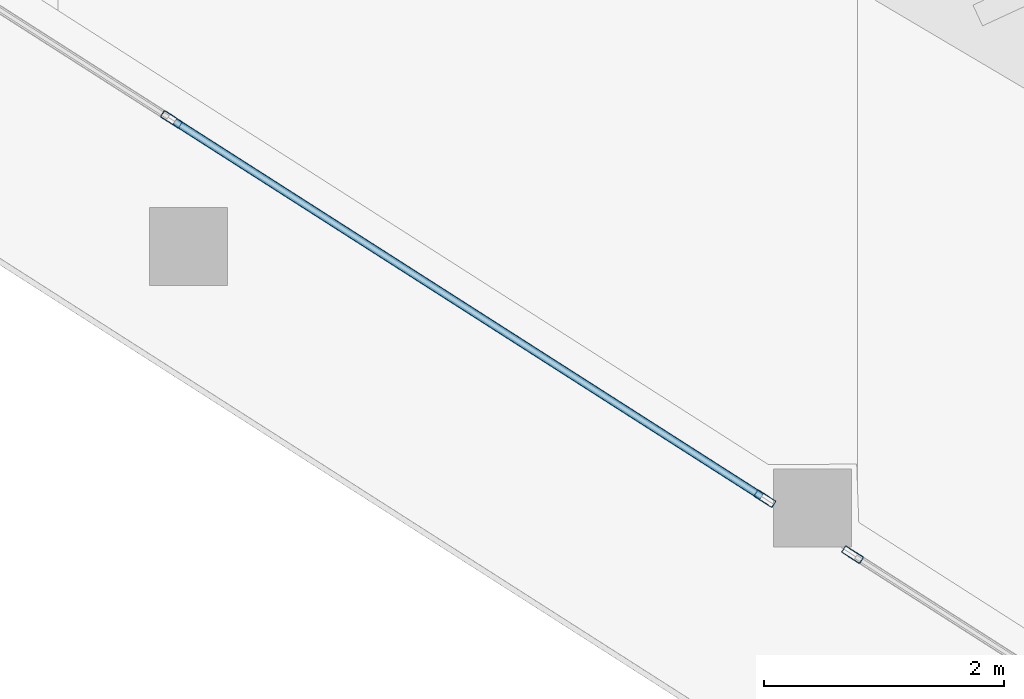
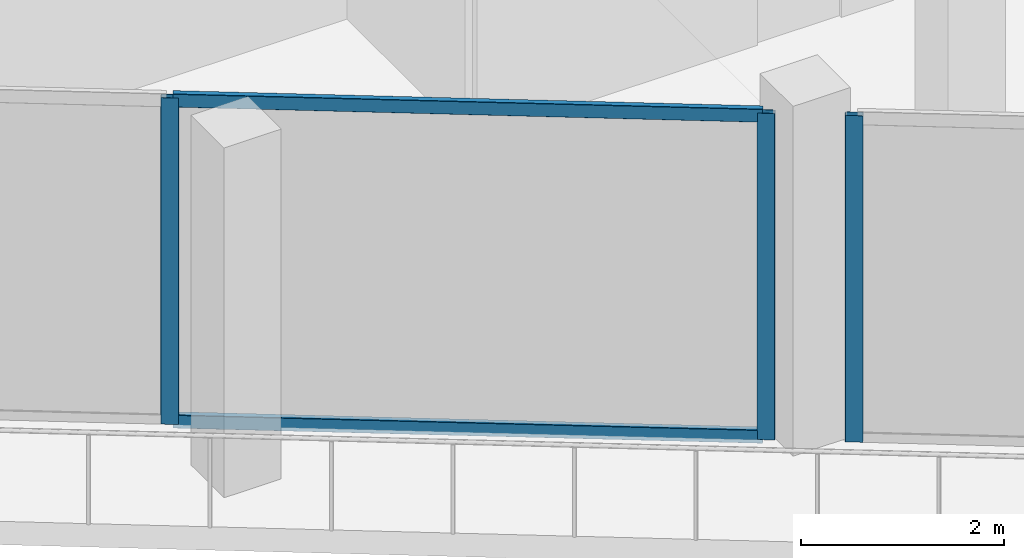
# One storey, part 5 of 44: 5 members, 2 elements without a shape of their own.
"""IFC4 building model written with IfcOpenShell, lengths in metres."""

from ifc_helpers import new_model, si_unit, direction, frame, origin, origin_2d, place, context, subcontext, project, spatial, hollow_rectangle, extrude, material, layer, layer_set, material_profile, profile_set, type_object, element, aggregate, save


model = new_model("IFC4")

# Units and contexts
model_context = context("Model", 3, precision=1e-05, world=origin(), true_north=direction((0.0, 1.0)))
body_context = subcontext(model_context, "Body", "Model", "MODEL_VIEW")
ifc_project = project(units=[si_unit("LENGTHUNIT", "METRE"), si_unit("AREAUNIT", "SQUARE_METRE"), si_unit("VOLUMEUNIT", "CUBIC_METRE"), si_unit("PLANEANGLEUNIT", "RADIAN"), si_unit("MASSUNIT", "GRAM", prefix="KILO")], contexts=[model_context])

# Site, building, storey
site_placement = place(None, origin())
site = spatial("IfcSite", under=ifc_project, at=site_placement, CompositionType="ELEMENT")
building_placement = place(site_placement, origin())
building = spatial("IfcBuilding", under=site, at=building_placement, Name="Qorvath Tower", CompositionType="ELEMENT")
storey_placement = place(building_placement, frame((0.0, 0.0, 40.800048828125)))
storey = spatial("IfcBuildingStorey", under=building, at=storey_placement, Name="L08", CompositionType="ELEMENT", Elevation=40.800048828125)

# Curtain wall, members
ifc_material_1 = material(Name="Anodised aluminium and triple low-E glass", Category="aluminium")
ifc_layer = layer(ifc_material_1, 0.179931640625)
ifc_layer_set = layer_set([ifc_layer], Name="CW-SYS-2")
curtain_wall_type = type_object("IfcCurtainWallType", Name="CW-SYS-2", PredefinedType="NOTDEFINED", material=ifc_layer_set)
curtain_wall_1_placement = place(storey_placement, origin())
curtain_wall_1 = element("IfcCurtainWall", 1, at=curtain_wall_1_placement, inside=storey, type_object=curtain_wall_type, Name="Curtain Wall CW-2 CW-T-L08-2.1", PredefinedType="NOTDEFINED")
ifc_material_2 = material(Name="Anodised aluminium 6063-T6", Category="aluminium")
ifc_material_profile_1 = material_profile(ifc_material_2, hollow_rectangle(XDim=0.06494140625, YDim=0.179931640625, WallThickness=0.00341796875, InnerFilletRadius=0.00341796875, OuterFilletRadius=0.007080078125, at=origin_2d()), Name="CWM 180x65")
ifc_profile_set_1 = profile_set([ifc_material_profile_1], Name="Anodised aluminium 6063-T6")
member_type_1 = type_object("IfcMemberType", Name="CWM-180", PredefinedType="MULLION", material=ifc_profile_set_1)
member_1_placement = place(storey_placement, frame((-45.677001953125, -13.71435546875, 0.0), z_axis=(0.0, 0.0, 1.0), x_axis=(0.538531853978, 0.842605152044, 0.0)))
member_1 = element("IfcMember", 2, at=member_1_placement, type_object=member_type_1, Name="CW-2 mullion 4", PredefinedType="MULLION", context=body_context, shape_type="SweptSolid", body=[
    extrude(hollow_rectangle(XDim=0.06494140625, YDim=0.179931640625, WallThickness=0.00341796875, InnerFilletRadius=0.00341796875, OuterFilletRadius=0.007080078125, at=origin_2d()), origin(), (0.0, 0.0, 1.0), 3.919921875),
])
member_2_placement = place(storey_placement, frame((-40.729736328125, -16.876220703125, 0.0), z_axis=(0.0, 0.0, 1.0), x_axis=(0.538531853978, 0.842605152044, 0.0)))
member_2 = element("IfcMember", 3, at=member_2_placement, type_object=member_type_1, Name="CW-2 mullion 5", PredefinedType="MULLION", context=body_context, shape_type="SweptSolid", body=[
    extrude(hollow_rectangle(XDim=0.06494140625, YDim=0.179931640625, WallThickness=0.00341796875, InnerFilletRadius=0.00341796875, OuterFilletRadius=0.007080078125, at=origin_2d()), origin(), (0.0, 0.0, 1.0), 3.919921875),
])

# Curtain wall, member
curtain_wall_2_placement = place(storey_placement, origin())
curtain_wall_2 = element("IfcCurtainWall", 4, at=curtain_wall_2_placement, inside=storey, type_object=curtain_wall_type, Name="Curtain Wall CW-2 CW-T-L08-2.2", PredefinedType="NOTDEFINED")
member_3_placement = place(storey_placement, frame((-39.999267578125, -17.34326171875, 0.0), z_axis=(0.0, 0.0, 1.0), x_axis=(0.538536571861, 0.842602136698, 0.0)))
member_3 = element("IfcMember", 5, at=member_3_placement, type_object=member_type_1, Name="CW-2 mullion 1", PredefinedType="MULLION", context=body_context, shape_type="SweptSolid", body=[
    extrude(hollow_rectangle(XDim=0.06494140625, YDim=0.179931640625, WallThickness=0.00341796875, InnerFilletRadius=0.00341796875, OuterFilletRadius=0.007080078125, at=origin_2d()), origin(), (0.0, 0.0, 1.0), 3.919921875),
])
aggregate(curtain_wall_2, [member_3])

# Member
ifc_material_3 = material(Name="Anodised aluminium 6063-T6", Category="aluminium")
ifc_material_profile_2 = material_profile(ifc_material_3, hollow_rectangle(XDim=0.06494140625, YDim=0.159912109375, WallThickness=0.00341796875, InnerFilletRadius=0.00341796875, OuterFilletRadius=0.007080078125, at=origin_2d()), Name="CWT 160x65")
ifc_profile_set_2 = profile_set([ifc_material_profile_2], Name="Anodised aluminium 6063-T6")
member_type_2 = type_object("IfcMemberType", Name="CWT-160", PredefinedType="USERDEFINED", material=ifc_profile_set_2)
member_4_placement = place(storey_placement, frame((-45.649658203125, -13.73193359375, 0.032470703125), z_axis=(0.842607225398, -0.538528609925, 0.0), x_axis=(0.538528609925, 0.842607225398, 0.0)))
member_4 = element("IfcMember", 6, at=member_4_placement, type_object=member_type_2, Name="CW-2 transom 4.1", ObjectType="TRANSOM", PredefinedType="USERDEFINED", context=body_context, shape_type="SweptSolid", body=[
    extrude(hollow_rectangle(XDim=0.06494140625, YDim=0.159912109375, WallThickness=0.00341796875, InnerFilletRadius=0.00341796875, OuterFilletRadius=0.007080078125, at=origin_2d()), origin(), (0.0, 0.0, 1.0), 5.806396484375),
])

member_5_placement = place(storey_placement, frame((-45.649658203125, -13.73193359375, 3.887451171875), z_axis=(0.842607225398, -0.538528609925, 0.0), x_axis=(0.538528609925, 0.842607225398, 0.0)))
member_5 = element("IfcMember", 7, at=member_5_placement, type_object=member_type_2, Name="CW-2 transom 4.2", ObjectType="TRANSOM", PredefinedType="USERDEFINED", context=body_context, shape_type="SweptSolid", body=[
    extrude(hollow_rectangle(XDim=0.06494140625, YDim=0.159912109375, WallThickness=0.00341796875, InnerFilletRadius=0.00341796875, OuterFilletRadius=0.007080078125, at=origin_2d()), origin(), (0.0, 0.0, 1.0), 5.806396484375),
])

aggregate(curtain_wall_1, [member_1, member_2, member_4, member_5])

save(model, "model.ifc")
